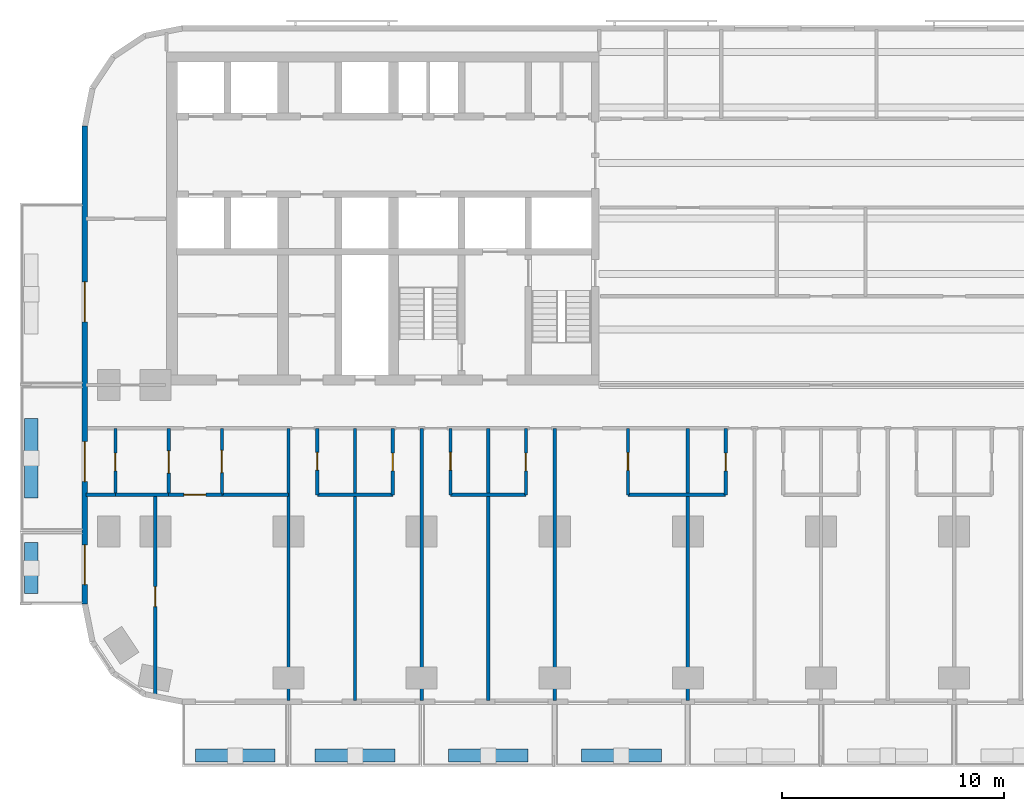
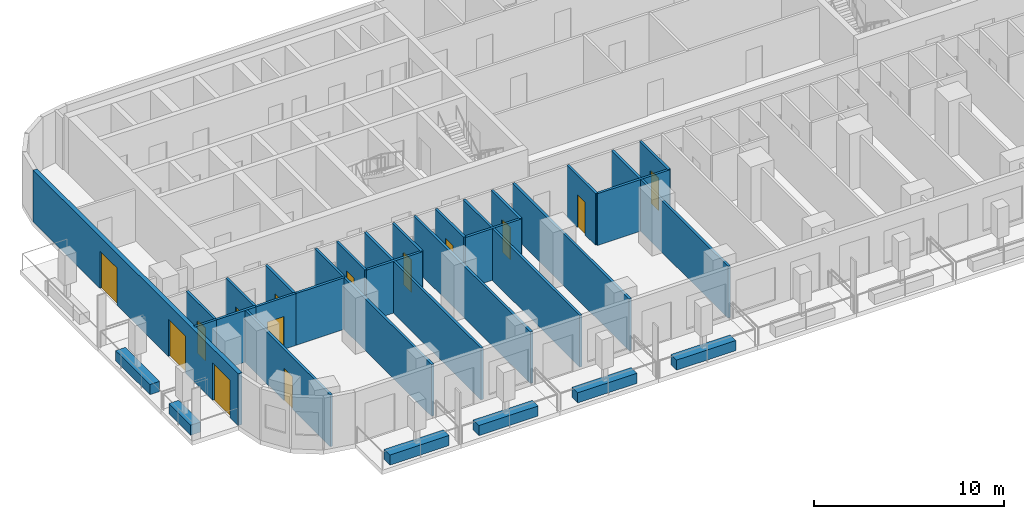
# One storey, part 2 of 15: 30 walls, 14 doors, 14 openings.
"""IFC4 building model written with IfcOpenShell, lengths in metres."""

import ifcopenshell
import ifcopenshell.guid

model = None  # the IFC model being written
_history = None  # IfcOwnerHistory: only IFC2X3 demands one
_inside = {}  # id of a spatial element -> (the spatial element, [elements in it])
_under = {}  # id of a project, library or spatial element -> (it, [spatial elements below it])
_declared = {}  # id of a project -> (the project, [libraries it declares])
_typed = {}  # id of a type object -> (the type object, [elements of that type])
_made_of = {}  # id of a material, layer set ... -> (it, [elements and type objects made of it])


def new_model(schema):
    """Start an empty IFC model of exactly this schema.

    Asked for "IFC4X3", IfcOpenShell would pick the latest addendum, in which some entities
    have other attributes; the version numbers below select the first issue.
    IFC2X3 requires an IfcOwnerHistory on every rooted entity: one is made here for all.
    """
    global model, _history
    if schema == "IFC4X3":
        model = ifcopenshell.file(schema_version=(4, 3, 0, 0))
    else:
        model = ifcopenshell.file(schema=schema)
    _inside.clear()
    _under.clear()
    _declared.clear()
    _typed.clear()
    _made_of.clear()
    _history = None
    if model.schema == "IFC2X3":
        org = make("IfcOrganization", Name="unknown")
        user = make(
            "IfcPersonAndOrganization",
            ThePerson=make("IfcPerson", FamilyName="unknown"),
            TheOrganization=org,
        )
        app = make(
            "IfcApplication",
            ApplicationDeveloper=org,
            Version="unknown",
            ApplicationFullName="unknown",
            ApplicationIdentifier="unknown",
        )
        _history = make(
            "IfcOwnerHistory",
            OwningUser=user,
            OwningApplication=app,
            ChangeAction="ADDED",
            CreationDate=0,
        )
    return model


def make(cls, **values):
    """One entity of the class cls with the attributes given. An attribute that is None is left unset."""
    return model.create_entity(
        cls, **{name: value for name, value in values.items() if value is not None}
    )


def rooted(cls, **values):
    """An entity with a GlobalId (a new one), such as an element, a storey or a relation."""
    return make(cls, GlobalId=ifcopenshell.guid.new(), OwnerHistory=_history, **values)


def si_unit(unit_type, name, prefix=None):
    """IfcSIUnit, for example si_unit("LENGTHUNIT", "METRE", prefix="MILLI")."""
    return make("IfcSIUnit", UnitType=unit_type, Prefix=prefix, Name=name)


def assignment(units):
    """IfcUnitAssignment: the units of a project."""
    return None if units is None else make("IfcUnitAssignment", Units=units)


def point(xyz):
    """IfcCartesianPoint."""
    return None if xyz is None else make("IfcCartesianPoint", Coordinates=xyz)


def direction(xyz):
    """IfcDirection."""
    return None if xyz is None else make("IfcDirection", DirectionRatios=xyz)


def frame(location, z_axis=None, x_axis=None):
    """IfcAxis2Placement3D, a coordinate frame: its origin and axes. An axis left out is left unset."""
    return make(
        "IfcAxis2Placement3D",
        Location=point(location),
        Axis=direction(z_axis),
        RefDirection=direction(x_axis),
    )


def frame_2d(location, x_axis=None):
    """IfcAxis2Placement2D, a coordinate frame in the plane: its origin and x axis."""
    return make(
        "IfcAxis2Placement2D", Location=point(location), RefDirection=direction(x_axis)
    )


def origin():
    """The frame at (0, 0, 0) with its axes left unset."""
    return frame((0.0, 0.0, 0.0))


def place(relative_to, where):
    """IfcLocalPlacement: puts the frame where relative to a parent placement (None: the world)."""
    return make(
        "IfcLocalPlacement", PlacementRelTo=relative_to, RelativePlacement=where
    )


def context(
    kind, dimensions, precision=None, world=None, true_north=None, identifier=None
):
    """IfcGeometricRepresentationContext, for example the 3D "Model" context."""
    return make(
        "IfcGeometricRepresentationContext",
        ContextIdentifier=identifier,
        ContextType=kind,
        CoordinateSpaceDimension=dimensions,
        Precision=precision,
        WorldCoordinateSystem=world,
        TrueNorth=true_north,
    )


def subcontext(parent, identifier, kind, view, scale=None):
    """IfcGeometricRepresentationSubContext, for example "Body" below "Model"."""
    return make(
        "IfcGeometricRepresentationSubContext",
        ContextIdentifier=identifier,
        ContextType=kind,
        ParentContext=parent,
        TargetScale=scale,
        TargetView=view,
    )


def project(units=None, contexts=None):
    """IfcProject with its units and contexts."""
    return rooted(
        "IfcProject",
        Name="project",
        RepresentationContexts=contexts,
        UnitsInContext=assignment(units),
    )


def spatial(cls, under=None, at=None, **own):
    """A site, building, storey or space (cls), placed at a placement, below another one or the project."""
    s = rooted(cls, ObjectPlacement=at, **own)
    if under is not None:
        _under.setdefault(under.id(), (under, []))[1].append(s)
    return s


def profile(cls, at=None, kind="AREA", **sizes):
    """A parametric profile (cls). Its sizes go by their IFC names, for example OverallWidth=200.0."""
    return make(cls, ProfileType=kind, Position=at, **sizes)


def rectangle(**sizes):
    """IfcRectangleProfileDef."""
    return profile("IfcRectangleProfileDef", **sizes)


def extrude(swept, where, along, depth):
    """IfcExtrudedAreaSolid: the profile swept, set in the frame where, extruded along a direction by depth."""
    return make(
        "IfcExtrudedAreaSolid",
        SweptArea=swept,
        Position=where,
        ExtrudedDirection=direction(along),
        Depth=depth,
    )


def shape(context_of_items, identifier, shape_type, items):
    """IfcShapeRepresentation: the items that make up one representation, for example the "Body"."""
    return make(
        "IfcShapeRepresentation",
        ContextOfItems=context_of_items,
        RepresentationIdentifier=identifier,
        RepresentationType=shape_type,
        Items=items,
    )


def material(Name=None, Category=None):
    """IfcMaterial."""
    return make("IfcMaterial", Name=Name, Category=Category)


def layer(
    of_material, thickness, ventilated=None, Name=None, Category=None, Priority=None
):
    """IfcMaterialLayer: one layer of a wall or slab, of a material (None: an air gap)."""
    return make(
        "IfcMaterialLayer",
        Material=of_material,
        LayerThickness=thickness,
        IsVentilated=ventilated,
        Name=Name,
        Category=Category,
        Priority=Priority,
    )


def layer_set(layers, Name=None):
    """IfcMaterialLayerSet."""
    return make("IfcMaterialLayerSet", MaterialLayers=layers, LayerSetName=Name)


def made_of(thing, what):
    """Note that an element or type object is made of a material, layer set ...; save() writes the relation."""
    if what is not None:
        _made_of.setdefault(what.id(), (what, []))[1].append(thing)
    return thing


def type_object(cls, material=None, **own):
    """A type object (cls), such as IfcWallType, which elements share."""
    return made_of(rooted(cls, **own), material)


def element(
    cls,
    number,
    at=None,
    inside=None,
    cuts=None,
    type_object=None,
    material=None,
    context=None,
    identifier="Body",
    shape_type=None,
    held_by="IfcProductDefinitionShape",
    body=None,
    shapes=None,
    **own,
):
    """One element of the class cls, such as IfcWall. Its Tag is "e" and its number.

    at: its placement. inside: the storey or other place that contains it. cuts: it is an
    opening in that element (IfcRelVoidsElement). A single representation is given by context,
    identifier, shape_type and body (its items); several are given by shapes. held_by: the class
    of the entity that holds the representations. save() writes the other relations.
    """
    e = rooted(cls, Tag="e%d" % number, ObjectPlacement=at, **own)
    if body is not None:
        shapes = [shape(context, identifier, shape_type, body)]
    if shapes is not None:
        e.Representation = make(held_by, Representations=shapes)
    if inside is not None:
        _inside.setdefault(inside.id(), (inside, []))[1].append(e)
    if cuts is not None:
        rooted(
            "IfcRelVoidsElement", RelatingBuildingElement=cuts, RelatedOpeningElement=e
        )
    if type_object is not None:
        _typed.setdefault(type_object.id(), (type_object, []))[1].append(e)
    return made_of(e, material)


def fill(opening, filler):
    """IfcRelFillsElement: the door or window that sits in an opening."""
    return rooted(
        "IfcRelFillsElement",
        RelatingOpeningElement=opening,
        RelatedBuildingElement=filler,
    )


def aggregate(whole, parts):
    """IfcRelAggregates: a whole, such as a stair, and the parts it consists of."""
    return rooted("IfcRelAggregates", RelatingObject=whole, RelatedObjects=parts)


def save(model, path):
    """Write the relations noted so far, then the file.

    IfcRelAggregates (storeys below a building ...), IfcRelContainedInSpatialStructure (elements
    in a storey), IfcRelDefinesByType, IfcRelAssociatesMaterial and IfcRelDeclares: one each for
    every whole, place, type object, material and project.
    """
    for whole, parts in _under.values():
        aggregate(whole, parts)
    for where, things in _inside.values():
        rooted(
            "IfcRelContainedInSpatialStructure",
            RelatedElements=things,
            RelatingStructure=where,
        )
    for kind, things in _typed.values():
        rooted("IfcRelDefinesByType", RelatedObjects=things, RelatingType=kind)
    for what, things in _made_of.values():
        rooted("IfcRelAssociatesMaterial", RelatedObjects=things, RelatingMaterial=what)
    for by, libraries in _declared.values():
        rooted("IfcRelDeclares", RelatingContext=by, RelatedDefinitions=libraries)
    model.write(path)


model = new_model("IFC4")

# Units and contexts
model_context = context("Model", 3, precision=1e-05, world=origin(), true_north=direction((0.0, 1.0)))
body_context = subcontext(model_context, "Body", "Model", "MODEL_VIEW")
ifc_project = project(units=[si_unit("LENGTHUNIT", "METRE"), si_unit("AREAUNIT", "SQUARE_METRE"), si_unit("VOLUMEUNIT", "CUBIC_METRE"), si_unit("PLANEANGLEUNIT", "RADIAN"), si_unit("MASSUNIT", "GRAM", prefix="KILO")], contexts=[model_context])

# Site, building, storey
site_placement = place(None, origin())
site = spatial("IfcSite", under=ifc_project, at=site_placement, CompositionType="ELEMENT")
building_placement = place(site_placement, origin())
building = spatial("IfcBuilding", under=site, at=building_placement, Name="Torana Hotel and Residences", CompositionType="ELEMENT")
storey_placement = place(building_placement, frame((0.0, 0.0, 27.60009765625)))
storey = spatial("IfcBuildingStorey", under=building, at=storey_placement, Name="L05", CompositionType="ELEMENT", Elevation=27.60009765625)

# Wall, openings, doors
ifc_material_1 = material(Name="Black aluminium composite panel", Category="aluminium")
ifc_layer_1 = layer(ifc_material_1, 0.00390625, Name="Cladding", Category="cladding")
ifc_material_2 = material(Name="Ventilated air cavity")
ifc_layer_2 = layer(ifc_material_2, 0.0400390625, Name="Ventilated cavity", Category="cavity")
ifc_material_3 = material(Name="Mineral wool insulation")
ifc_layer_3 = layer(ifc_material_3, 0.090087890625, Name="Insulation", Category="insulation")
ifc_material_4 = material(Name="Steel S280GD", Category="steel")
ifc_layer_4 = layer(ifc_material_4, 0.092041015625, Name="Steel stud frame", Category="structure")
ifc_material_5 = material(Name="Fire rated plasterboard")
ifc_layer_5 = layer(ifc_material_5, 0.011962890625, Name="Inner board", Category="finish")
ifc_layer_6 = layer(ifc_material_5, 0.011962890625, Name="Second board", Category="finish")
ifc_layer_set_1 = layer_set([ifc_layer_1, ifc_layer_2, ifc_layer_3, ifc_layer_4, ifc_layer_5, ifc_layer_6], Name="EW1 EXTERNAL WALL BLACK METAL CLAD 250")
wall_type_1 = type_object("IfcWallType", Name="EW1 EXTERNAL WALL BLACK METAL CLAD 250", PredefinedType="SOLIDWALL", material=ifc_layer_set_1)
wall_1_placement = place(storey_placement, frame((-33.175048828125, -3.32470703125, 0.0), z_axis=(0.0, 0.0, 1.0), x_axis=(0.0, -1.0, 0.0)))
wall_1 = element("IfcWall", 1, at=wall_1_placement, inside=storey, type_object=wall_type_1, Name="External wall L05 e0.9", PredefinedType="SOLIDWALL", context=body_context, shape_type="SweptSolid", body=[
    extrude(rectangle(XDim=21.55078125, YDim=0.25, at=frame_2d((10.775390625, 0.0))), origin(), (0.0, 0.0, 1.0), 3.31982421875),
])
opening_1_placement = place(wall_1_placement, frame((7.025390625, 0.0, 0.0)))
opening_1 = element("IfcOpeningElement", 2, at=opening_1_placement, cuts=wall_1, Name="Opening L05-E14", PredefinedType="OPENING", context=body_context, shape_type="SweptSolid", body=[
    extrude(rectangle(XDim=1.800048828125, YDim=2.39990234375, at=frame_2d((0.89990234375, 1.199951171875))), frame((0.0, 0.135009765625, 0.0), z_axis=(0.0, -1.0, 0.0), x_axis=(1.0, 0.0, 0.0)), (0.0, 0.0, 1.0), 0.27001953125),
])
opening_2_placement = place(wall_1_placement, frame((14.225341796875, 0.0, 0.0)))
opening_2 = element("IfcOpeningElement", 3, at=opening_2_placement, cuts=wall_1, Name="Opening L05-E15", PredefinedType="OPENING", context=body_context, shape_type="SweptSolid", body=[
    extrude(rectangle(XDim=1.800048828125, YDim=2.39990234375, at=frame_2d((0.89990234375, 1.199951171875))), frame((0.0, 0.135009765625, 0.0), z_axis=(0.0, -1.0, 0.0), x_axis=(1.0, 0.0, 0.0)), (0.0, 0.0, 1.0), 0.27001953125),
])
opening_3_placement = place(wall_1_placement, frame((18.87548828125, 0.0, 0.0)))
opening_3 = element("IfcOpeningElement", 4, at=opening_3_placement, cuts=wall_1, Name="Opening L05-E16", PredefinedType="OPENING", context=body_context, shape_type="SweptSolid", body=[
    extrude(rectangle(XDim=1.800048828125, YDim=2.39990234375, at=frame_2d((0.89990234375, 1.199951171875))), frame((0.0, 0.135009765625, 0.0), z_axis=(0.0, -1.0, 0.0), x_axis=(1.0, 0.0, 0.0)), (0.0, 0.0, 1.0), 0.27001953125),
])
ifc_material_6 = material(Name="Dark glass in black aluminium frame", Category="aluminium")
door_type_1 = type_object("IfcDoorType", Name="DB1 BALCONY DOOR 1800x2400", OperationType="DOUBLE_DOOR_SINGLE_SWING", PredefinedType="DOOR", material=ifc_material_6)
door_1_placement = place(opening_1_placement, origin())
door_1 = element("IfcDoor", 5, at=door_1_placement, inside=storey, type_object=door_type_1, Name="Balcony door L05", OperationType="DOUBLE_DOOR_SINGLE_SWING", OverallHeight=2.39990234375, OverallWidth=1.800048828125, PredefinedType="DOOR", context=body_context, shape_type="SweptSolid", body=[
    extrude(rectangle(XDim=1.800048828125, YDim=2.39990234375, at=frame_2d((0.89990234375, 1.199951171875))), frame((0.0, 0.02490234375, 0.0), z_axis=(0.0, -1.0, 0.0), x_axis=(1.0, 0.0, 0.0)), (0.0, 0.0, 1.0), 0.050048828125),
])
fill(opening_1, door_1)
door_2_placement = place(opening_2_placement, origin())
door_2 = element("IfcDoor", 6, at=door_2_placement, inside=storey, type_object=door_type_1, Name="Balcony door L05", OperationType="DOUBLE_DOOR_SINGLE_SWING", OverallHeight=2.39990234375, OverallWidth=1.800048828125, PredefinedType="DOOR", context=body_context, shape_type="SweptSolid", body=[
    extrude(rectangle(XDim=1.800048828125, YDim=2.39990234375, at=frame_2d((0.89990234375, 1.199951171875))), frame((0.0, 0.02490234375, 0.0), z_axis=(0.0, -1.0, 0.0), x_axis=(1.0, 0.0, 0.0)), (0.0, 0.0, 1.0), 0.050048828125),
])
fill(opening_2, door_2)
door_3_placement = place(opening_3_placement, frame((0.89990234375, 0.0, 0.0), z_axis=(0.0, 0.0, 1.0), x_axis=(-1.0, 0.0, 0.0)))
door_3 = element("IfcDoor", 7, at=door_3_placement, inside=storey, type_object=door_type_1, Name="Balcony door L05", OperationType="DOUBLE_DOOR_SINGLE_SWING", OverallHeight=2.39990234375, OverallWidth=1.800048828125, PredefinedType="DOOR", context=body_context, shape_type="SweptSolid", body=[
    extrude(rectangle(XDim=1.800048828125, YDim=2.39990234375, at=frame_2d((0.0, 1.199951171875))), frame((0.0, -0.02490234375, 0.0), z_axis=(0.0, 1.0, 0.0), x_axis=(-1.0, 0.0, 0.0)), (0.0, 0.0, 1.0), 0.050048828125),
])
fill(opening_3, door_3)

# Wall, opening, door
ifc_material_7 = material(Name="Gypsum plaster")
ifc_layer_7 = layer(ifc_material_7, 0.014892578125, Name="Plaster", Category="finish")
ifc_material_8 = material(Name="Concrete blockwork", Category="masonry")
ifc_layer_8 = layer(ifc_material_8, 0.1201171875, Name="Blockwork", Category="structure")
ifc_layer_9 = layer(ifc_material_7, 0.014892578125, Name="Plaster", Category="finish")
ifc_layer_set_2 = layer_set([ifc_layer_7, ifc_layer_8, ifc_layer_9], Name="FIRE PARTITION 150 BLOCKWORK")
wall_type_2 = type_object("IfcWallType", Name="FIRE PARTITION 150 BLOCKWORK", PredefinedType="PARTITIONING", material=ifc_layer_set_2)
wall_2_placement = place(storey_placement, frame((-27.0, -19.949951171875, 0.0), z_axis=(0.0, 0.0, 1.0), x_axis=(0.0, 1.0, 0.0)))
wall_2 = element("IfcWall", 8, at=wall_2_placement, inside=storey, type_object=wall_type_2, Name="Partition L05", PredefinedType="PARTITIONING", context=body_context, shape_type="SweptSolid", body=[
    extrude(rectangle(XDim=3.0, YDim=0.14990234375, at=frame_2d((1.5, 0.0))), origin(), (0.0, 0.0, 1.0), 3.31982421875),
])
opening_4_placement = place(wall_2_placement, frame((1.0, 0.0, 0.0)))
opening_4 = element("IfcOpeningElement", 9, at=opening_4_placement, cuts=wall_2, Name="Opening L05-82", PredefinedType="OPENING", context=body_context, shape_type="SweptSolid", body=[
    extrude(rectangle(XDim=1.0, YDim=2.10009765625, at=frame_2d((0.5, 1.050048828125))), frame((0.0, 0.0849609375, 0.0), z_axis=(0.0, -1.0, 0.0), x_axis=(1.0, 0.0, 0.0)), (0.0, 0.0, 1.0), 0.169921875),
])
ifc_material_9 = material(Name="Steel S235", Category="steel")
door_type_2 = type_object("IfcDoorType", Name="ENTRY FIRE DOOR D6 1000x2100", OperationType="SINGLE_SWING_LEFT", PredefinedType="DOOR", material=ifc_material_9)
door_4_placement = place(opening_4_placement, frame((0.5, 0.0, 0.0), z_axis=(0.0, 0.0, 1.0), x_axis=(-1.0, 0.0, 0.0)))
door_4 = element("IfcDoor", 10, at=door_4_placement, inside=storey, type_object=door_type_2, Name="Door L05", OperationType="SINGLE_SWING_LEFT", OverallHeight=2.10009765625, OverallWidth=1.0, PredefinedType="DOOR", context=body_context, shape_type="SweptSolid", body=[
    extrude(rectangle(XDim=1.0, YDim=2.10009765625, at=frame_2d((0.0, 1.050048828125))), frame((0.0, -0.02490234375, 0.0), z_axis=(0.0, 1.0, 0.0), x_axis=(-1.0, 0.0, 0.0)), (0.0, 0.0, 1.0), 0.050048828125),
])
fill(opening_4, door_4)

wall_3_placement = place(storey_placement, frame((-29.39990234375, -19.949951171875, 0.0), z_axis=(0.0, 0.0, 1.0), x_axis=(0.0, 1.0, 0.0)))
wall_3 = element("IfcWall", 11, at=wall_3_placement, inside=storey, type_object=wall_type_2, Name="Partition L05", PredefinedType="PARTITIONING", context=body_context, shape_type="SweptSolid", body=[
    extrude(rectangle(XDim=3.0, YDim=0.14990234375, at=frame_2d((1.5, 0.0))), origin(), (0.0, 0.0, 1.0), 3.31982421875),
])
opening_5_placement = place(wall_3_placement, frame((0.97998046875, 0.0, 0.0)))
opening_5 = element("IfcOpeningElement", 12, at=opening_5_placement, cuts=wall_3, Name="Opening L05-83", PredefinedType="OPENING", context=body_context, shape_type="SweptSolid", body=[
    extrude(rectangle(XDim=1.0, YDim=2.10009765625, at=frame_2d((0.5, 1.050048828125))), frame((0.0, 0.0849609375, 0.0), z_axis=(0.0, -1.0, 0.0), x_axis=(1.0, 0.0, 0.0)), (0.0, 0.0, 1.0), 0.169921875),
])
door_5_placement = place(opening_5_placement, origin())
door_5 = element("IfcDoor", 13, at=door_5_placement, inside=storey, type_object=door_type_2, Name="Door L05", OperationType="SINGLE_SWING_RIGHT", OverallHeight=2.10009765625, OverallWidth=1.0, PredefinedType="DOOR", context=body_context, shape_type="SweptSolid", body=[
    extrude(rectangle(XDim=1.0, YDim=2.10009765625, at=frame_2d((0.5, 1.050048828125))), frame((0.0, 0.02490234375, 0.0), z_axis=(0.0, -1.0, 0.0), x_axis=(1.0, 0.0, 0.0)), (0.0, 0.0, 1.0), 0.050048828125),
])
fill(opening_5, door_5)

wall_4_placement = place(storey_placement, frame((-29.39990234375, -19.949951171875, 0.0), z_axis=(0.0, 0.0, 1.0), x_axis=(1.0, 0.0, 0.0)))
wall_4 = element("IfcWall", 14, at=wall_4_placement, inside=storey, type_object=wall_type_2, Name="Partition L05", PredefinedType="PARTITIONING", context=body_context, shape_type="SweptSolid", body=[
    extrude(rectangle(XDim=2.39990234375, YDim=0.14990234375, at=frame_2d((1.199951171875, 0.0))), origin(), (0.0, 0.0, 1.0), 3.31982421875),
])
opening_6_placement = place(wall_4_placement, frame((0.679931640625, 0.0, 0.0)))
opening_6 = element("IfcOpeningElement", 15, at=opening_6_placement, cuts=wall_4, Name="Opening L05-84", PredefinedType="OPENING", context=body_context, shape_type="SweptSolid", body=[
    extrude(rectangle(XDim=1.0, YDim=2.10009765625, at=frame_2d((0.5, 1.050048828125))), frame((0.0, 0.0849609375, 0.0), z_axis=(0.0, -1.0, 0.0), x_axis=(1.0, 0.0, 0.0)), (0.0, 0.0, 1.0), 0.169921875),
])
door_6_placement = place(opening_6_placement, frame((0.5, 0.0, 0.0), z_axis=(0.0, 0.0, 1.0), x_axis=(-1.0, 0.0, 0.0)))
door_6 = element("IfcDoor", 16, at=door_6_placement, inside=storey, type_object=door_type_2, Name="Door L05", OperationType="SINGLE_SWING_LEFT", OverallHeight=2.10009765625, OverallWidth=1.0, PredefinedType="DOOR", context=body_context, shape_type="SweptSolid", body=[
    extrude(rectangle(XDim=1.0, YDim=2.10009765625, at=frame_2d((0.0, 1.050048828125))), frame((0.0, -0.02490234375, 0.0), z_axis=(0.0, 1.0, 0.0), x_axis=(-1.0, 0.0, 0.0)), (0.0, 0.0, 1.0), 0.050048828125),
])
fill(opening_6, door_6)

ifc_material_10 = material(Name="Gypsum plasterboard")
ifc_layer_10 = layer(ifc_material_10, 0.012451171875, Name="Plasterboard", Category="finish")
ifc_layer_11 = layer(ifc_material_10, 0.012451171875, Name="Plasterboard", Category="finish")
ifc_layer_12 = layer(ifc_material_4, 0.10009765625, Name="Steel studs with mineral wool", Category="insulation")
ifc_layer_13 = layer(ifc_material_10, 0.012451171875, Name="Plasterboard", Category="finish")
ifc_layer_14 = layer(ifc_material_10, 0.012451171875, Name="Plasterboard", Category="finish")
ifc_layer_set_3 = layer_set([ifc_layer_10, ifc_layer_11, ifc_layer_12, ifc_layer_13, ifc_layer_14], Name="PARTITION 150 PLASTERBOARD")
wall_type_3 = type_object("IfcWallType", Name="PARTITION 150 PLASTERBOARD", PredefinedType="PARTITIONING", material=ifc_layer_set_3)
wall_5_placement = place(storey_placement, frame((-4.300048828125, -19.949951171875, 0.0), z_axis=(0.0, 0.0, 1.0), x_axis=(0.0, 1.0, 0.0)))
wall_5 = element("IfcWall", 17, at=wall_5_placement, inside=storey, type_object=wall_type_3, Name="Partition L05", PredefinedType="PARTITIONING", context=body_context, shape_type="SweptSolid", body=[
    extrude(rectangle(XDim=3.0, YDim=0.14990234375, at=frame_2d((1.5, 0.0))), origin(), (0.0, 0.0, 1.0), 3.31982421875),
])
opening_7_placement = place(wall_5_placement, frame((1.080078125, 0.0, 0.0)))
opening_7 = element("IfcOpeningElement", 18, at=opening_7_placement, cuts=wall_5, Name="Opening L05-72", PredefinedType="OPENING", context=body_context, shape_type="SweptSolid", body=[
    extrude(rectangle(XDim=0.800048828125, YDim=2.10009765625, at=frame_2d((0.39990234375, 1.050048828125))), frame((0.0, 0.0849609375, 0.0), z_axis=(0.0, -1.0, 0.0), x_axis=(1.0, 0.0, 0.0)), (0.0, 0.0, 1.0), 0.169921875),
])
ifc_material_11 = material(Name="Timber door, painted", Category="wood")
door_type_3 = type_object("IfcDoorType", Name="BATH DOOR D13 800x2100", OperationType="SINGLE_SWING_LEFT", PredefinedType="DOOR", material=ifc_material_11)
door_7_placement = place(opening_7_placement, origin())
door_7 = element("IfcDoor", 19, at=door_7_placement, inside=storey, type_object=door_type_3, Name="Door L05", OperationType="SINGLE_SWING_RIGHT", OverallHeight=2.10009765625, OverallWidth=0.800048828125, PredefinedType="DOOR", context=body_context, shape_type="SweptSolid", body=[
    extrude(rectangle(XDim=0.800048828125, YDim=2.10009765625, at=frame_2d((0.39990234375, 1.050048828125))), frame((0.0, 0.02490234375, 0.0), z_axis=(0.0, -1.0, 0.0), x_axis=(1.0, 0.0, 0.0)), (0.0, 0.0, 1.0), 0.050048828125),
])
fill(opening_7, door_7)

# Wall
wall_6_placement = place(storey_placement, frame((-6.0, -29.219970703125, 0.0), z_axis=(0.0, 0.0, 1.0), x_axis=(0.0, 1.0, 0.0)))
element("IfcWall", 20, at=wall_6_placement, inside=storey, type_object=wall_type_3, Name="Partition L05", PredefinedType="PARTITIONING", context=body_context, shape_type="SweptSolid", body=[
    extrude(rectangle(XDim=12.27001953125, YDim=0.14990234375, at=frame_2d((6.135009765625, 0.0))), origin(), (0.0, 0.0, 1.0), 3.31982421875),
])

# Wall, opening, door
wall_7_placement = place(storey_placement, frame((-8.699951171875, -19.949951171875, 0.0), z_axis=(0.0, 0.0, 1.0), x_axis=(0.0, 1.0, 0.0)))
wall_7 = element("IfcWall", 21, at=wall_7_placement, inside=storey, type_object=wall_type_3, Name="Partition L05", PredefinedType="PARTITIONING", context=body_context, shape_type="SweptSolid", body=[
    extrude(rectangle(XDim=3.0, YDim=0.14990234375, at=frame_2d((1.5, 0.0))), origin(), (0.0, 0.0, 1.0), 3.31982421875),
])
opening_8_placement = place(wall_7_placement, frame((1.10009765625, 0.0, 0.0)))
opening_8 = element("IfcOpeningElement", 22, at=opening_8_placement, cuts=wall_7, Name="Opening L05-71", PredefinedType="OPENING", context=body_context, shape_type="SweptSolid", body=[
    extrude(rectangle(XDim=0.800048828125, YDim=2.10009765625, at=frame_2d((0.39990234375, 1.050048828125))), frame((0.0, 0.0849609375, 0.0), z_axis=(0.0, -1.0, 0.0), x_axis=(1.0, 0.0, 0.0)), (0.0, 0.0, 1.0), 0.169921875),
])
door_8_placement = place(opening_8_placement, origin())
door_8 = element("IfcDoor", 23, at=door_8_placement, inside=storey, type_object=door_type_3, Name="Door L05", OperationType="SINGLE_SWING_LEFT", OverallHeight=2.10009765625, OverallWidth=0.800048828125, PredefinedType="DOOR", context=body_context, shape_type="SweptSolid", body=[
    extrude(rectangle(XDim=0.800048828125, YDim=2.10009765625, at=frame_2d((0.39990234375, 1.050048828125))), frame((0.0, 0.02490234375, 0.0), z_axis=(0.0, -1.0, 0.0), x_axis=(1.0, 0.0, 0.0)), (0.0, 0.0, 1.0), 0.050048828125),
])
fill(opening_8, door_8)

# Wall
wall_8_placement = place(storey_placement, frame((-12.0, -29.219970703125, 0.0), z_axis=(0.0, 0.0, 1.0), x_axis=(0.0, 1.0, 0.0)))
element("IfcWall", 24, at=wall_8_placement, inside=storey, type_object=wall_type_3, Name="Partition L05", PredefinedType="PARTITIONING", context=body_context, shape_type="SweptSolid", body=[
    extrude(rectangle(XDim=12.27001953125, YDim=0.14990234375, at=frame_2d((6.135009765625, 0.0))), origin(), (0.0, 0.0, 1.0), 3.31982421875),
])

# Wall, opening, door
wall_9_placement = place(storey_placement, frame((-13.300048828125, -19.949951171875, 0.0), z_axis=(0.0, 0.0, 1.0), x_axis=(0.0, 1.0, 0.0)))
wall_9 = element("IfcWall", 25, at=wall_9_placement, inside=storey, type_object=wall_type_3, Name="Partition L05", PredefinedType="PARTITIONING", context=body_context, shape_type="SweptSolid", body=[
    extrude(rectangle(XDim=3.0, YDim=0.14990234375, at=frame_2d((1.5, 0.0))), origin(), (0.0, 0.0, 1.0), 3.31982421875),
])
opening_9_placement = place(wall_9_placement, frame((1.080078125, 0.0, 0.0)))
opening_9 = element("IfcOpeningElement", 26, at=opening_9_placement, cuts=wall_9, Name="Opening L05-70", PredefinedType="OPENING", context=body_context, shape_type="SweptSolid", body=[
    extrude(rectangle(XDim=0.800048828125, YDim=2.10009765625, at=frame_2d((0.39990234375, 1.050048828125))), frame((0.0, 0.0849609375, 0.0), z_axis=(0.0, -1.0, 0.0), x_axis=(1.0, 0.0, 0.0)), (0.0, 0.0, 1.0), 0.169921875),
])
door_9_placement = place(opening_9_placement, origin())
door_9 = element("IfcDoor", 27, at=door_9_placement, inside=storey, type_object=door_type_3, Name="Door L05", OperationType="SINGLE_SWING_RIGHT", OverallHeight=2.10009765625, OverallWidth=0.800048828125, PredefinedType="DOOR", context=body_context, shape_type="SweptSolid", body=[
    extrude(rectangle(XDim=0.800048828125, YDim=2.10009765625, at=frame_2d((0.39990234375, 1.050048828125))), frame((0.0, 0.02490234375, 0.0), z_axis=(0.0, -1.0, 0.0), x_axis=(1.0, 0.0, 0.0)), (0.0, 0.0, 1.0), 0.050048828125),
])
fill(opening_9, door_9)

# Wall
wall_10_placement = place(storey_placement, frame((-15.0, -29.219970703125, 0.0), z_axis=(0.0, 0.0, 1.0), x_axis=(0.0, 1.0, 0.0)))
element("IfcWall", 28, at=wall_10_placement, inside=storey, type_object=wall_type_3, Name="Partition L05", PredefinedType="PARTITIONING", context=body_context, shape_type="SweptSolid", body=[
    extrude(rectangle(XDim=12.27001953125, YDim=0.14990234375, at=frame_2d((6.135009765625, 0.0))), origin(), (0.0, 0.0, 1.0), 3.31982421875),
])

# Wall, opening, door
wall_11_placement = place(storey_placement, frame((-16.699951171875, -19.949951171875, 0.0), z_axis=(0.0, 0.0, 1.0), x_axis=(0.0, 1.0, 0.0)))
wall_11 = element("IfcWall", 29, at=wall_11_placement, inside=storey, type_object=wall_type_3, Name="Partition L05", PredefinedType="PARTITIONING", context=body_context, shape_type="SweptSolid", body=[
    extrude(rectangle(XDim=3.0, YDim=0.14990234375, at=frame_2d((1.5, 0.0))), origin(), (0.0, 0.0, 1.0), 3.31982421875),
])
opening_10_placement = place(wall_11_placement, frame((1.1201171875, 0.0, 0.0)))
opening_10 = element("IfcOpeningElement", 30, at=opening_10_placement, cuts=wall_11, Name="Opening L05-69", PredefinedType="OPENING", context=body_context, shape_type="SweptSolid", body=[
    extrude(rectangle(XDim=0.800048828125, YDim=2.10009765625, at=frame_2d((0.39990234375, 1.050048828125))), frame((0.0, 0.0849609375, 0.0), z_axis=(0.0, -1.0, 0.0), x_axis=(1.0, 0.0, 0.0)), (0.0, 0.0, 1.0), 0.169921875),
])
door_10_placement = place(opening_10_placement, origin())
door_10 = element("IfcDoor", 31, at=door_10_placement, inside=storey, type_object=door_type_3, Name="Door L05", OperationType="SINGLE_SWING_LEFT", OverallHeight=2.10009765625, OverallWidth=0.800048828125, PredefinedType="DOOR", context=body_context, shape_type="SweptSolid", body=[
    extrude(rectangle(XDim=0.800048828125, YDim=2.10009765625, at=frame_2d((0.39990234375, 1.050048828125))), frame((0.0, 0.02490234375, 0.0), z_axis=(0.0, -1.0, 0.0), x_axis=(1.0, 0.0, 0.0)), (0.0, 0.0, 1.0), 0.050048828125),
])
fill(opening_10, door_10)

# Wall
wall_12_placement = place(storey_placement, frame((-18.0, -29.219970703125, 0.0), z_axis=(0.0, 0.0, 1.0), x_axis=(0.0, 1.0, 0.0)))
element("IfcWall", 32, at=wall_12_placement, inside=storey, type_object=wall_type_3, Name="Partition L05", PredefinedType="PARTITIONING", context=body_context, shape_type="SweptSolid", body=[
    extrude(rectangle(XDim=12.27001953125, YDim=0.14990234375, at=frame_2d((6.135009765625, 0.0))), origin(), (0.0, 0.0, 1.0), 3.31982421875),
])

# Wall, opening, door
wall_13_placement = place(storey_placement, frame((-19.300048828125, -19.949951171875, 0.0), z_axis=(0.0, 0.0, 1.0), x_axis=(0.0, 1.0, 0.0)))
wall_13 = element("IfcWall", 33, at=wall_13_placement, inside=storey, type_object=wall_type_3, Name="Partition L05", PredefinedType="PARTITIONING", context=body_context, shape_type="SweptSolid", body=[
    extrude(rectangle(XDim=3.0, YDim=0.14990234375, at=frame_2d((1.5, 0.0))), origin(), (0.0, 0.0, 1.0), 3.31982421875),
])
opening_11_placement = place(wall_13_placement, frame((1.080078125, 0.0, 0.0)))
opening_11 = element("IfcOpeningElement", 34, at=opening_11_placement, cuts=wall_13, Name="Opening L05-68", PredefinedType="OPENING", context=body_context, shape_type="SweptSolid", body=[
    extrude(rectangle(XDim=0.800048828125, YDim=2.10009765625, at=frame_2d((0.39990234375, 1.050048828125))), frame((0.0, 0.0849609375, 0.0), z_axis=(0.0, -1.0, 0.0), x_axis=(1.0, 0.0, 0.0)), (0.0, 0.0, 1.0), 0.169921875),
])
door_11_placement = place(opening_11_placement, origin())
door_11 = element("IfcDoor", 35, at=door_11_placement, inside=storey, type_object=door_type_3, Name="Door L05", OperationType="SINGLE_SWING_RIGHT", OverallHeight=2.10009765625, OverallWidth=0.800048828125, PredefinedType="DOOR", context=body_context, shape_type="SweptSolid", body=[
    extrude(rectangle(XDim=0.800048828125, YDim=2.10009765625, at=frame_2d((0.39990234375, 1.050048828125))), frame((0.0, 0.02490234375, 0.0), z_axis=(0.0, -1.0, 0.0), x_axis=(1.0, 0.0, 0.0)), (0.0, 0.0, 1.0), 0.050048828125),
])
fill(opening_11, door_11)

# Wall
wall_14_placement = place(storey_placement, frame((-21.0, -29.219970703125, 0.0), z_axis=(0.0, 0.0, 1.0), x_axis=(0.0, 1.0, 0.0)))
element("IfcWall", 36, at=wall_14_placement, inside=storey, type_object=wall_type_3, Name="Partition L05", PredefinedType="PARTITIONING", context=body_context, shape_type="SweptSolid", body=[
    extrude(rectangle(XDim=12.27001953125, YDim=0.14990234375, at=frame_2d((6.135009765625, 0.0))), origin(), (0.0, 0.0, 1.0), 3.31982421875),
])

# Wall, opening, door
wall_15_placement = place(storey_placement, frame((-22.699951171875, -19.949951171875, 0.0), z_axis=(0.0, 0.0, 1.0), x_axis=(0.0, 1.0, 0.0)))
wall_15 = element("IfcWall", 37, at=wall_15_placement, inside=storey, type_object=wall_type_3, Name="Partition L05", PredefinedType="PARTITIONING", context=body_context, shape_type="SweptSolid", body=[
    extrude(rectangle(XDim=3.0, YDim=0.14990234375, at=frame_2d((1.5, 0.0))), origin(), (0.0, 0.0, 1.0), 3.31982421875),
])
opening_12_placement = place(wall_15_placement, frame((1.1201171875, 0.0, 0.0)))
opening_12 = element("IfcOpeningElement", 38, at=opening_12_placement, cuts=wall_15, Name="Opening L05-67", PredefinedType="OPENING", context=body_context, shape_type="SweptSolid", body=[
    extrude(rectangle(XDim=0.800048828125, YDim=2.10009765625, at=frame_2d((0.39990234375, 1.050048828125))), frame((0.0, 0.0849609375, 0.0), z_axis=(0.0, -1.0, 0.0), x_axis=(1.0, 0.0, 0.0)), (0.0, 0.0, 1.0), 0.169921875),
])
door_12_placement = place(opening_12_placement, origin())
door_12 = element("IfcDoor", 39, at=door_12_placement, inside=storey, type_object=door_type_3, Name="Door L05", OperationType="SINGLE_SWING_LEFT", OverallHeight=2.10009765625, OverallWidth=0.800048828125, PredefinedType="DOOR", context=body_context, shape_type="SweptSolid", body=[
    extrude(rectangle(XDim=0.800048828125, YDim=2.10009765625, at=frame_2d((0.39990234375, 1.050048828125))), frame((0.0, 0.02490234375, 0.0), z_axis=(0.0, -1.0, 0.0), x_axis=(1.0, 0.0, 0.0)), (0.0, 0.0, 1.0), 0.050048828125),
])
fill(opening_12, door_12)

# Wall
wall_16_placement = place(storey_placement, frame((-24.0, -29.219970703125, 0.0), z_axis=(0.0, 0.0, 1.0), x_axis=(0.0, 1.0, 0.0)))
element("IfcWall", 40, at=wall_16_placement, inside=storey, type_object=wall_type_3, Name="Partition L05", PredefinedType="PARTITIONING", context=body_context, shape_type="SweptSolid", body=[
    extrude(rectangle(XDim=12.27001953125, YDim=0.14990234375, at=frame_2d((6.135009765625, 0.0))), origin(), (0.0, 0.0, 1.0), 3.31982421875),
])

# Wall, opening, door
wall_17_placement = place(storey_placement, frame((-30.0, -28.977783203125, 0.0), z_axis=(0.0, 0.0, 1.0), x_axis=(0.0, 1.0, 0.0)))
wall_17 = element("IfcWall", 41, at=wall_17_placement, inside=storey, type_object=wall_type_3, Name="Partition L05", PredefinedType="PARTITIONING", context=body_context, shape_type="SweptSolid", body=[
    extrude(rectangle(XDim=9.02783203125, YDim=0.14990234375, at=frame_2d((4.513916015625, 0.0))), origin(), (0.0, 0.0, 1.0), 3.31982421875),
])
opening_13_placement = place(wall_17_placement, frame((3.98681640625, 0.0, 0.0)))
opening_13 = element("IfcOpeningElement", 42, at=opening_13_placement, cuts=wall_17, Name="Opening L05-86", PredefinedType="OPENING", context=body_context, shape_type="SweptSolid", body=[
    extrude(rectangle(XDim=0.89990234375, YDim=2.10009765625, at=frame_2d((0.449951171875, 1.050048828125))), frame((0.0, 0.0849609375, 0.0), z_axis=(0.0, -1.0, 0.0), x_axis=(1.0, 0.0, 0.0)), (0.0, 0.0, 1.0), 0.169921875),
])
ifc_material_12 = material(Name="Timber door, oiled ash", Category="wood")
door_type_4 = type_object("IfcDoorType", Name="ROOM DOOR D7 900x2100", OperationType="SINGLE_SWING_LEFT", PredefinedType="DOOR", material=ifc_material_12)
door_13_placement = place(opening_13_placement, origin())
door_13 = element("IfcDoor", 43, at=door_13_placement, inside=storey, type_object=door_type_4, Name="Door L05", OperationType="SINGLE_SWING_RIGHT", OverallHeight=2.10009765625, OverallWidth=0.89990234375, PredefinedType="DOOR", context=body_context, shape_type="SweptSolid", body=[
    extrude(rectangle(XDim=0.89990234375, YDim=2.10009765625, at=frame_2d((0.449951171875, 1.050048828125))), frame((0.0, 0.02490234375, 0.0), z_axis=(0.0, -1.0, 0.0), x_axis=(1.0, 0.0, 0.0)), (0.0, 0.0, 1.0), 0.050048828125),
])
fill(opening_13, door_13)

# Walls
wall_18_placement = place(storey_placement, frame((-31.800048828125, -19.949951171875, 0.0), z_axis=(0.0, 0.0, 1.0), x_axis=(1.0, 0.0, 0.0)))
element("IfcWall", 44, at=wall_18_placement, inside=storey, type_object=wall_type_3, Name="Partition L05", PredefinedType="PARTITIONING", context=body_context, shape_type="SweptSolid", body=[
    extrude(rectangle(XDim=2.400146484375, YDim=0.14990234375, at=frame_2d((1.2001953125, 0.0))), origin(), (0.0, 0.0, 1.0), 3.31982421875),
])
wall_19_placement = place(storey_placement, frame((-27.0, -19.949951171875, 0.0), z_axis=(0.0, 0.0, 1.0), x_axis=(1.0, 0.0, 0.0)))
element("IfcWall", 45, at=wall_19_placement, inside=storey, type_object=wall_type_3, Name="Partition L05", PredefinedType="PARTITIONING", context=body_context, shape_type="SweptSolid", body=[
    extrude(rectangle(XDim=3.0, YDim=0.14990234375, at=frame_2d((1.5, 0.0))), origin(), (0.0, 0.0, 1.0), 3.31982421875),
])
for number, where, z_axis, x_axis, name in (
    (46, (-22.699951171875, -19.949951171875, 0.0), (0.0, 0.0, 1.0), (1.0, 0.0, 0.0), "Partition L05"),
    (47, (-16.699951171875, -19.949951171875, 0.0), (0.0, 0.0, 1.0), (1.0, 0.0, 0.0), "Partition L05"),
):
    element("IfcWall", number, at=place(storey_placement, frame(where, z_axis=z_axis, x_axis=x_axis)), inside=storey, type_object=wall_type_3, Name=name, PredefinedType="PARTITIONING", context=body_context, shape_type="SweptSolid", body=[
        extrude(rectangle(XDim=3.39990234375, YDim=0.14990234375, at=frame_2d((1.699951171875, 0.0))), origin(), (0.0, 0.0, 1.0), 3.31982421875),
    ])
wall_20_placement = place(storey_placement, frame((-8.699951171875, -19.949951171875, 0.0), z_axis=(0.0, 0.0, 1.0), x_axis=(1.0, 0.0, 0.0)))
element("IfcWall", 48, at=wall_20_placement, inside=storey, type_object=wall_type_3, Name="Partition L05", PredefinedType="PARTITIONING", context=body_context, shape_type="SweptSolid", body=[
    extrude(rectangle(XDim=4.39990234375, YDim=0.14990234375, at=frame_2d((2.199951171875, 0.0))), origin(), (0.0, 0.0, 1.0), 3.31982421875),
])
ifc_material_13 = material(Name="Concrete C40/50 precast", Category="concrete")
ifc_layer_15 = layer(ifc_material_13, 0.10009765625, Name="Planter shell", Category="structure")
ifc_material_14 = material(Name="Root resistant membrane")
ifc_layer_16 = layer(ifc_material_14, 0.00390625, Name="Waterproofing membrane", Category="membrane")
ifc_material_15 = material(Name="Drainage board with filter fleece")
ifc_layer_17 = layer(ifc_material_15, 0.02001953125, Name="Drainage board", Category="drainage")
ifc_material_16 = material(Name="Growing medium")
ifc_layer_18 = layer(ifc_material_16, 0.47607421875, Name="Planting substrate", Category="soil")
ifc_layer_set_4 = layer_set([ifc_layer_15, ifc_layer_16, ifc_layer_17, ifc_layer_18], Name="PL1 BALCONY PLANTER 600")
wall_type_4 = type_object("IfcWallType", Name="PL1 BALCONY PLANTER 600", PredefinedType="USERDEFINED", material=ifc_layer_set_4)
wall_21_placement = place(storey_placement, frame((-24.60009765625, -31.699951171875, 0.0), z_axis=(0.0, 0.0, 1.0), x_axis=(-1.0, 0.0, 0.0)))
element("IfcWall", 49, at=wall_21_placement, inside=storey, type_object=wall_type_4, Name="Planter 01", ObjectType="PLANTER", PredefinedType="USERDEFINED", context=body_context, shape_type="SweptSolid", body=[
    extrude(rectangle(XDim=3.599853515625, YDim=0.60009765625, at=frame_2d((1.7998046875, 0.0))), origin(), (0.0, 0.0, 1.0), 0.64990234375),
])
for number, where, z_axis, x_axis, name in (
    (50, (-19.199951171875, -31.699951171875, 0.0), (0.0, 0.0, 1.0), (-1.0, 0.0, 0.0), "Planter 02"),
    (51, (-13.199951171875, -31.699951171875, 0.0), (0.0, 0.0, 1.0), (-1.0, 0.0, 0.0), "Planter 03"),
    (52, (-7.199951171875, -31.699951171875, 0.0), (0.0, 0.0, 1.0), (-1.0, 0.0, 0.0), "Planter 04"),
):
    element("IfcWall", number, at=place(storey_placement, frame(where, z_axis=z_axis, x_axis=x_axis)), inside=storey, type_object=wall_type_4, Name=name, ObjectType="PLANTER", PredefinedType="USERDEFINED", context=body_context, shape_type="SweptSolid", body=[
        extrude(rectangle(XDim=3.60009765625, YDim=0.60009765625, at=frame_2d((1.800048828125, 0.0))), origin(), (0.0, 0.0, 1.0), 0.64990234375),
    ])
wall_22_placement = place(storey_placement, frame((-35.60009765625, -24.39990234375, 0.0), z_axis=(0.0, 0.0, 1.0), x_axis=(0.0, 1.0, 0.0)))
element("IfcWall", 53, at=wall_22_placement, inside=storey, type_object=wall_type_4, Name="Planter 11", ObjectType="PLANTER", PredefinedType="USERDEFINED", context=body_context, shape_type="SweptSolid", body=[
    extrude(rectangle(XDim=2.2998046875, YDim=0.60009765625, at=frame_2d((1.14990234375, 0.0))), origin(), (0.0, 0.0, 1.0), 0.64990234375),
])
wall_23_placement = place(storey_placement, frame((-35.60009765625, -20.10009765625, 0.0), z_axis=(0.0, 0.0, 1.0), x_axis=(0.0, 1.0, 0.0)))
element("IfcWall", 54, at=wall_23_placement, inside=storey, type_object=wall_type_4, Name="Planter 12", ObjectType="PLANTER", PredefinedType="USERDEFINED", context=body_context, shape_type="SweptSolid", body=[
    extrude(rectangle(XDim=3.60009765625, YDim=0.60009765625, at=frame_2d((1.800048828125, 0.0))), origin(), (0.0, 0.0, 1.0), 0.64990234375),
])

# Wall, opening, door
ifc_material_17 = material(Name="Ceramic tile on adhesive")
ifc_layer_19 = layer(ifc_material_17, 0.010009765625, Name="Wall tile", Category="finish")
ifc_material_18 = material(Name="Cement render")
ifc_layer_20 = layer(ifc_material_18, 0.010009765625, Name="Render", Category="finish")
ifc_layer_21 = layer(ifc_material_8, 0.110107421875, Name="Blockwork", Category="structure")
ifc_layer_22 = layer(ifc_material_18, 0.010009765625, Name="Render", Category="finish")
ifc_layer_23 = layer(ifc_material_17, 0.010009765625, Name="Wall tile", Category="finish")
ifc_layer_set_5 = layer_set([ifc_layer_19, ifc_layer_20, ifc_layer_21, ifc_layer_22, ifc_layer_23], Name="WC PARTITION 150")
wall_type_5 = type_object("IfcWallType", Name="WC PARTITION 150", PredefinedType="PLUMBINGWALL", material=ifc_layer_set_5)
wall_24_placement = place(storey_placement, frame((-31.800048828125, -19.949951171875, 0.0), z_axis=(0.0, 0.0, 1.0), x_axis=(0.0, 1.0, 0.0)))
wall_24 = element("IfcWall", 55, at=wall_24_placement, inside=storey, type_object=wall_type_5, Name="Partition L05", PredefinedType="PLUMBINGWALL", context=body_context, shape_type="SweptSolid", body=[
    extrude(rectangle(XDim=3.0, YDim=0.14990234375, at=frame_2d((1.5, 0.0))), origin(), (0.0, 0.0, 1.0), 3.31982421875),
])
opening_14_placement = place(wall_24_placement, frame((1.080078125, 0.0, 0.0)))
opening_14 = element("IfcOpeningElement", 56, at=opening_14_placement, cuts=wall_24, Name="Opening L05-85", PredefinedType="OPENING", context=body_context, shape_type="SweptSolid", body=[
    extrude(rectangle(XDim=0.800048828125, YDim=2.10009765625, at=frame_2d((0.39990234375, 1.050048828125))), frame((0.0, 0.0849609375, 0.0), z_axis=(0.0, -1.0, 0.0), x_axis=(1.0, 0.0, 0.0)), (0.0, 0.0, 1.0), 0.169921875),
])
door_14_placement = place(opening_14_placement, origin())
door_14 = element("IfcDoor", 57, at=door_14_placement, inside=storey, type_object=door_type_3, Name="Door L05", OperationType="SINGLE_SWING_RIGHT", OverallHeight=2.10009765625, OverallWidth=0.800048828125, PredefinedType="DOOR", context=body_context, shape_type="SweptSolid", body=[
    extrude(rectangle(XDim=0.800048828125, YDim=2.10009765625, at=frame_2d((0.39990234375, 1.050048828125))), frame((0.0, 0.02490234375, 0.0), z_axis=(0.0, -1.0, 0.0), x_axis=(1.0, 0.0, 0.0)), (0.0, 0.0, 1.0), 0.050048828125),
])
fill(opening_14, door_14)

# Wall
wall_25_placement = place(storey_placement, frame((-33.1201171875, -19.949951171875, 0.0), z_axis=(0.0, 0.0, 1.0), x_axis=(1.0, 0.0, 0.0)))
element("IfcWall", 58, at=wall_25_placement, inside=storey, type_object=wall_type_5, Name="Partition L05", PredefinedType="PLUMBINGWALL", context=body_context, shape_type="SweptSolid", body=[
    extrude(rectangle(XDim=1.320068359375, YDim=0.14990234375, at=frame_2d((0.66015625, 0.0))), origin(), (0.0, 0.0, 1.0), 3.31982421875),
])

save(model, "model.ifc")
